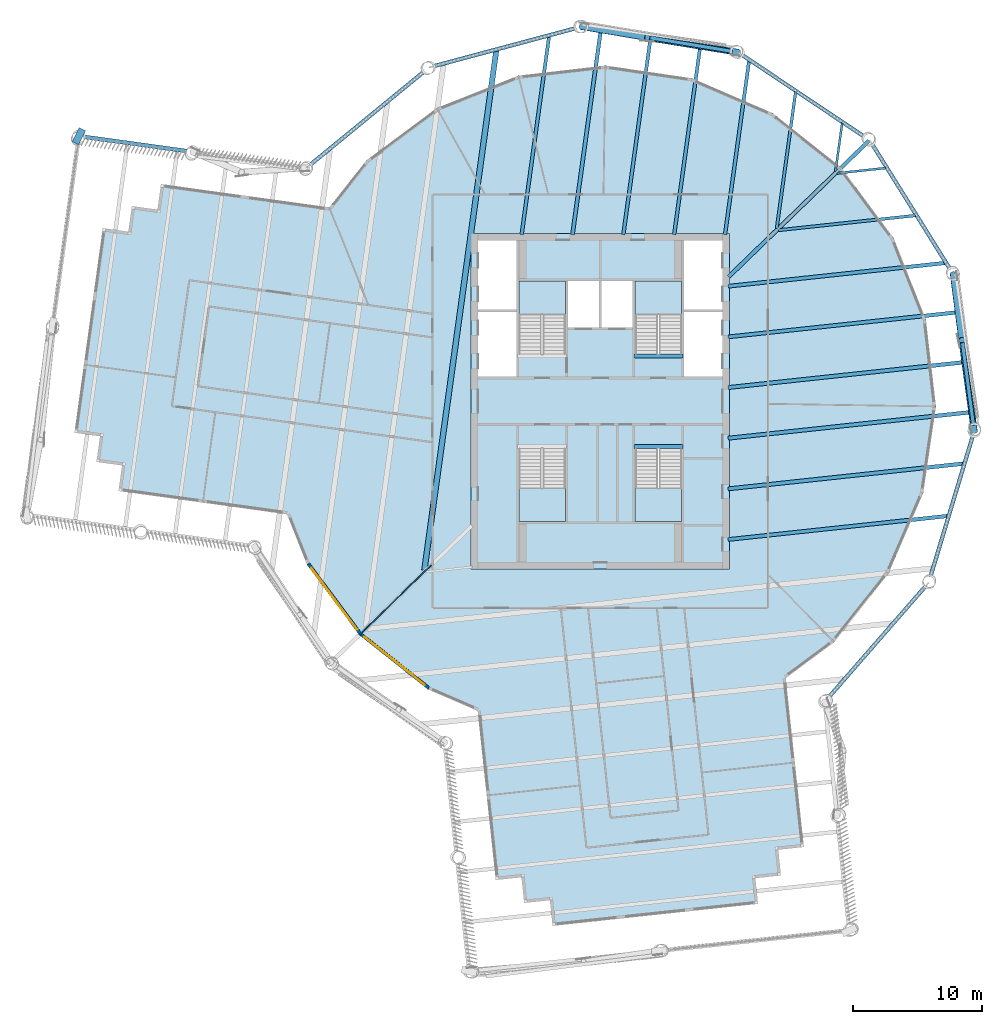
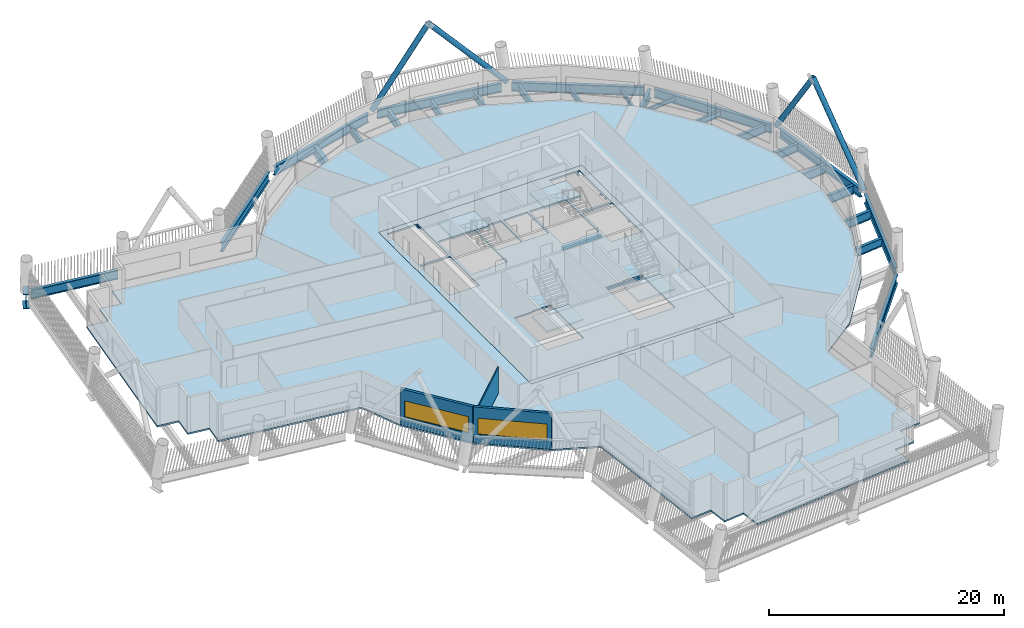
# One storey, part 2 of 21: 29 beams, 6 slabs, 4 members, 3 walls, 2 windows, 2 openings, 4 elements without a shape of their own.
"""IFC4 building model written with IfcOpenShell, lengths in metres."""

from ifc_helpers import new_model, si_unit, direction, frame, frame_2d, origin, origin_2d, place, context, subcontext, project, spatial, polyline, rectangle, hollow_circle, i_section, outline, extrude, material, layer, layer_set, material_profile, profile_set, type_object, element, fill, aggregate, save


model = new_model("IFC4")

# Units and contexts
model_context = context("Model", 3, precision=1e-05, world=origin(), true_north=direction((0.0, 1.0)))
body_context = subcontext(model_context, "Body", "Model", "MODEL_VIEW")
ifc_project = project(units=[si_unit("LENGTHUNIT", "METRE"), si_unit("AREAUNIT", "SQUARE_METRE"), si_unit("VOLUMEUNIT", "CUBIC_METRE"), si_unit("PLANEANGLEUNIT", "RADIAN"), si_unit("MASSUNIT", "GRAM", prefix="KILO")], contexts=[model_context])

# Site, building, storey
site_placement = place(None, origin())
site = spatial("IfcSite", under=ifc_project, at=site_placement, CompositionType="ELEMENT")
building_placement = place(site_placement, origin())
building = spatial("IfcBuilding", under=site, at=building_placement, Name="Tarsis Ring Headquarters", CompositionType="ELEMENT")
storey_placement = place(building_placement, frame((0.0, 0.0, 255.199951171875)))
storey = spatial("IfcBuildingStorey", under=building, at=storey_placement, Name="L59", CompositionType="ELEMENT", Elevation=255.199951171875)

# Beams
ifc_material_1 = material(Name="Structural steel S355", Category="steel")
ifc_material_profile_1 = material_profile(ifc_material_1, i_section(OverallWidth=0.177734375, OverallDepth=0.406494140625, WebThickness=0.0078125, FlangeThickness=0.0126953125, at=origin_2d()), Name="W16x40")
ifc_profile_set_1 = profile_set([ifc_material_profile_1], Name="Structural steel S355")
beam_type_1 = type_object("IfcBeamType", Name="FB Floor beam W16x40", PredefinedType="JOIST", material=ifc_profile_set_1)
for number, where, z_axis, x_axis, name in (
    (1, (18.341064453125, 17.656005859375, -0.363037109375), (0.994298226004, 0.106635068182, 0.0), (-0.106635068182, 0.994298226004, 0.0), "Floor beam FB1"),
    (2, (18.732666015625, 21.559326171875, -0.363037109375), (-0.137108507379, -0.990556034359, 0.0), (0.990556034359, -0.137108507379, 0.0), "Floor beam FB1"),
):
    element("IfcBeam", number, at=place(storey_placement, frame(where, z_axis=z_axis, x_axis=x_axis)), inside=storey, type_object=beam_type_1, Name=name, PredefinedType="JOIST", context=body_context, shape_type="SweptSolid", body=[
        extrude(i_section(OverallWidth=0.177734375, OverallDepth=0.406494140625, WebThickness=0.0078125, FlangeThickness=0.0126953125, at=origin_2d()), origin(), (0.0, 0.0, 1.0), 3.80517578125),
    ])
ifc_material_profile_2 = material_profile(ifc_material_1, i_section(OverallWidth=0.228271484375, OverallDepth=0.607177734375, WebThickness=0.01123046875, FlangeThickness=0.017333984375, at=origin_2d()), Name="W24x76")
ifc_profile_set_2 = profile_set([ifc_material_profile_2], Name="Structural steel S355")
beam_type_2 = type_object("IfcBeamType", Name="FB Floor beam W24x76", PredefinedType="JOIST", material=ifc_profile_set_2)
for number, where, z_axis, x_axis, name in (
    (3, (13.79345703125, 13.24609375, -0.463623046875), (0.994300246884, 0.106616223186, 0.0), (-0.106616223186, 0.994300246884, 0.0), "Floor beam FB4"),
    (4, (15.128173828125, 23.9638671875, -0.463623046875), (-0.137098215795, -0.990557458821, 0.0), (0.990557458821, -0.137098215795, 0.0), "Floor beam FB4"),
):
    element("IfcBeam", number, at=place(storey_placement, frame(where, z_axis=z_axis, x_axis=x_axis)), inside=storey, type_object=beam_type_2, Name=name, PredefinedType="JOIST", context=body_context, shape_type="SweptSolid", body=[
        extrude(i_section(OverallWidth=0.228271484375, OverallDepth=0.607177734375, WebThickness=0.01123046875, FlangeThickness=0.017333984375, at=origin_2d()), origin(), (0.0, 0.0, 1.0), 10.6845703125),
    ])
ifc_material_profile_3 = material_profile(ifc_material_1, i_section(OverallWidth=0.2666015625, OverallDepth=0.7568359375, WebThickness=0.013916015625, FlangeThickness=0.019287109375, at=origin_2d()), Name="W30x108")
ifc_profile_set_3 = profile_set([ifc_material_profile_3], Name="Structural steel S355")
beam_type_3 = type_object("IfcBeamType", Name="FB Floor beam W30x108", PredefinedType="JOIST", material=ifc_profile_set_3)
beam_1_placement = place(storey_placement, frame((11.52392578125, 26.36865234375, -0.538330078125), z_axis=(-0.137098575484, -0.990557409038, 0.0), x_axis=(0.990557409038, -0.137098575484, 0.0)))
element("IfcBeam", 5, at=beam_1_placement, inside=storey, type_object=beam_type_3, Name="Floor beam FB6", PredefinedType="JOIST", context=body_context, shape_type="SweptSolid", body=[
    extrude(i_section(OverallWidth=0.2666015625, OverallDepth=0.7568359375, WebThickness=0.013916015625, FlangeThickness=0.019287109375, at=origin_2d()), origin(), (0.0, 0.0, 1.0), 13.59619140625),
])
beam_2_placement = place(storey_placement, frame((7.736083984375, 27.447509765625, -0.538330078125), z_axis=(-0.137104874911, -0.990556537142, 0.0), x_axis=(0.990556537142, -0.137104874911, 0.0)))
element("IfcBeam", 6, at=beam_2_placement, inside=storey, type_object=beam_type_3, Name="Floor beam FB6", PredefinedType="JOIST", context=body_context, shape_type="SweptSolid", body=[
    extrude(i_section(OverallWidth=0.2666015625, OverallDepth=0.7568359375, WebThickness=0.013916015625, FlangeThickness=0.019287109375, at=origin_2d()), origin(), (0.0, 0.0, 1.0), 14.685302734375),
])
beam_3_placement = place(storey_placement, frame((3.88671875, 28.08251953125, -0.538330078125), z_axis=(-0.137089096115, -0.990558720988, 0.0), x_axis=(0.990558720988, -0.137089096115, 0.0)))
element("IfcBeam", 7, at=beam_3_placement, inside=storey, type_object=beam_type_3, Name="Floor beam FB6", PredefinedType="JOIST", context=body_context, shape_type="SweptSolid", body=[
    extrude(i_section(OverallWidth=0.2666015625, OverallDepth=0.7568359375, WebThickness=0.013916015625, FlangeThickness=0.019287109375, at=origin_2d()), origin(), (0.0, 0.0, 1.0), 15.326416015625),
])
beam_4_placement = place(storey_placement, frame((-3.961669921875, 28.269287109375, -0.538330078125), z_axis=(-0.137106501244, -0.990556312037, 0.0), x_axis=(0.990556312037, -0.137106501244, 0.0)))
element("IfcBeam", 8, at=beam_4_placement, inside=storey, type_object=beam_type_3, Name="Floor beam FB6", PredefinedType="JOIST", context=body_context, shape_type="SweptSolid", body=[
    extrude(i_section(OverallWidth=0.2666015625, OverallDepth=0.7568359375, WebThickness=0.013916015625, FlangeThickness=0.019287109375, at=origin_2d()), origin(), (0.0, 0.0, 1.0), 15.514892578125),
])
ifc_material_profile_4 = material_profile(ifc_material_1, i_section(OverallWidth=0.2919921875, OverallDepth=0.835693359375, WebThickness=0.013916015625, FlangeThickness=0.018798828125, at=origin_2d()), Name="W33x118")
ifc_profile_set_4 = profile_set([ifc_material_profile_4], Name="Structural steel S355")
beam_type_4 = type_object("IfcBeamType", Name="FB Floor beam W33x118", PredefinedType="JOIST", material=ifc_profile_set_4)
beam_5_placement = place(storey_placement, frame((9.900634765625, 8.90625, -0.577880859375), z_axis=(0.994301338713, 0.106606040324, 0.0), x_axis=(-0.106606040324, 0.994301338713, 0.0)))
element("IfcBeam", 9, at=beam_5_placement, inside=storey, type_object=beam_type_4, Name="Floor beam FB7", PredefinedType="JOIST", context=body_context, shape_type="SweptSolid", body=[
    extrude(i_section(OverallWidth=0.2919921875, OverallDepth=0.835693359375, WebThickness=0.013916015625, FlangeThickness=0.018798828125, at=origin_2d()), origin(), (0.0, 0.0, 1.0), 16.90576171875),
])
beam_6_placement = place(storey_placement, frame((9.900634765625, 4.98388671875, -0.577880859375), z_axis=(0.994300676041, 0.1066122208, 0.0), x_axis=(-0.1066122208, 0.994300676041, 0.0)))
element("IfcBeam", 10, at=beam_6_placement, inside=storey, type_object=beam_type_4, Name="Floor beam FB7", PredefinedType="JOIST", context=body_context, shape_type="SweptSolid", body=[
    extrude(i_section(OverallWidth=0.2919921875, OverallDepth=0.835693359375, WebThickness=0.013916015625, FlangeThickness=0.018798828125, at=origin_2d()), origin(), (0.0, 0.0, 1.0), 17.873291015625),
])
beam_7_placement = place(storey_placement, frame((9.900634765625, -10.70556640625, -0.577880859375), z_axis=(0.994300244903, 0.106616241662, 0.0), x_axis=(-0.106616241662, 0.994300244903, 0.0)))
element("IfcBeam", 11, at=beam_7_placement, inside=storey, type_object=beam_type_4, Name="Floor beam FB7", PredefinedType="JOIST", context=body_context, shape_type="SweptSolid", body=[
    extrude(i_section(OverallWidth=0.2919921875, OverallDepth=0.835693359375, WebThickness=0.013916015625, FlangeThickness=0.018798828125, at=origin_2d()), origin(), (0.0, 0.0, 1.0), 17.112548828125),
])
beam_8_placement = place(storey_placement, frame((0.037353515625, 28.71728515625, -0.577880859375), z_axis=(-0.137091663173, -0.990558365715, 0.0), x_axis=(0.990558365715, -0.137091663173, 0.0)))
element("IfcBeam", 12, at=beam_8_placement, inside=storey, type_object=beam_type_4, Name="Floor beam FB7", PredefinedType="JOIST", context=body_context, shape_type="SweptSolid", body=[
    extrude(i_section(OverallWidth=0.2919921875, OverallDepth=0.835693359375, WebThickness=0.013916015625, FlangeThickness=0.018798828125, at=origin_2d()), origin(), (0.0, 0.0, 1.0), 15.967041015625),
])
ifc_material_profile_5 = material_profile(ifc_material_1, i_section(OverallWidth=0.3046875, OverallDepth=0.904296875, WebThickness=0.01513671875, FlangeThickness=0.02001953125, at=origin_2d()), Name="W36x135")
ifc_profile_set_5 = profile_set([ifc_material_profile_5], Name="Structural steel S355")
beam_type_5 = type_object("IfcBeamType", Name="FB Floor beam W36x135", PredefinedType="JOIST", material=ifc_profile_set_5)
beam_9_placement = place(storey_placement, frame((9.900634765625, 1.0615234375, -0.612060546875), z_axis=(0.994300362714, 0.106615142955, 0.0), x_axis=(-0.106615142955, 0.994300362714, 0.0)))
element("IfcBeam", 13, at=beam_9_placement, inside=storey, type_object=beam_type_5, Name="Floor beam FB8", PredefinedType="JOIST", context=body_context, shape_type="SweptSolid", body=[
    extrude(i_section(OverallWidth=0.3046875, OverallDepth=0.904296875, WebThickness=0.01513671875, FlangeThickness=0.02001953125, at=origin_2d()), origin(), (0.0, 0.0, 1.0), 18.392578125),
])
beam_10_placement = place(storey_placement, frame((9.900634765625, -2.86083984375, -0.612060546875), z_axis=(0.994300066586, 0.106617904624, 0.0), x_axis=(-0.106617904624, 0.994300066586, 0.0)))
element("IfcBeam", 14, at=beam_10_placement, inside=storey, type_object=beam_type_5, Name="Floor beam FB8", PredefinedType="JOIST", context=body_context, shape_type="SweptSolid", body=[
    extrude(i_section(OverallWidth=0.3046875, OverallDepth=0.904296875, WebThickness=0.01513671875, FlangeThickness=0.02001953125, at=origin_2d()), origin(), (0.0, 0.0, 1.0), 18.912109375),
])
beam_11_placement = place(storey_placement, frame((9.900634765625, -6.783203125, -0.612060546875), z_axis=(0.994300638991, 0.106612566339, 0.0), x_axis=(-0.106612566339, 0.994300638991, 0.0)))
element("IfcBeam", 15, at=beam_11_placement, inside=storey, type_object=beam_type_5, Name="Floor beam FB8", PredefinedType="JOIST", context=body_context, shape_type="SweptSolid", body=[
    extrude(i_section(OverallWidth=0.3046875, OverallDepth=0.904296875, WebThickness=0.01513671875, FlangeThickness=0.02001953125, at=origin_2d()), origin(), (0.0, 0.0, 1.0), 18.338134765625),
])
ifc_material_profile_6 = material_profile(ifc_material_1, i_section(OverallWidth=0.309814453125, OverallDepth=0.949951171875, WebThickness=0.0244140625, FlangeThickness=0.0439453125, at=origin_2d()), Name="W36x256")
ifc_profile_set_6 = profile_set([ifc_material_profile_6], Name="Structural steel S355")
beam_type_6 = type_object("IfcBeamType", Name="FB Floor beam W36x256 spine", PredefinedType="BEAM", material=ifc_profile_set_6)
beam_12_placement = place(storey_placement, frame((20.8115234375, 20.181884765625, -0.635009765625), z_axis=(-0.717885516302, -0.696161177806, 0.0), x_axis=(0.696161177806, -0.717885516302, 0.0)))
element("IfcBeam", 16, at=beam_12_placement, inside=storey, type_object=beam_type_6, Name="Floor beam SB11", PredefinedType="BEAM", context=body_context, shape_type="SweptSolid", body=[
    extrude(i_section(OverallWidth=0.309814453125, OverallDepth=0.949951171875, WebThickness=0.0244140625, FlangeThickness=0.0439453125, at=origin_2d()), origin(), (0.0, 0.0, 1.0), 15.16015625),
])
ifc_material_profile_7 = material_profile(ifc_material_1, i_section(OverallWidth=0.42431640625, OverallDepth=0.947509765625, WebThickness=0.02392578125, FlangeThickness=0.042724609375, at=origin_2d()), Name="W36x302")
ifc_profile_set_7 = profile_set([ifc_material_profile_7], Name="Structural steel S355")
beam_type_7 = type_object("IfcBeamType", Name="FB Floor beam W36x302", PredefinedType="JOIST", material=ifc_profile_set_7)
beam_13_placement = place(storey_placement, frame((-8.05029296875, 27.175537109375, -0.633544921875), z_axis=(-0.137098646971, -0.990557399144, 0.0), x_axis=(0.990557399144, -0.137098646971, 0.0)))
element("IfcBeam", 17, at=beam_13_placement, inside=storey, type_object=beam_type_7, Name="Floor beam FB12", PredefinedType="JOIST", context=body_context, shape_type="SweptSolid", body=[
    extrude(i_section(OverallWidth=0.42431640625, OverallDepth=0.947509765625, WebThickness=0.02392578125, FlangeThickness=0.042724609375, at=origin_2d()), origin(), (0.0, 0.0, 1.0), 40.638916015625),
])
ifc_material_2 = material(Name="Concrete C40/50", Category="concrete")
ifc_material_profile_8 = material_profile(ifc_material_2, rectangle(XDim=0.300048828125, YDim=0.300048828125, at=origin_2d()), Name="Stair head beam 300x300 C40/50")
ifc_profile_set_8 = profile_set([ifc_material_profile_8], Name="Concrete C40/50")
beam_type_8 = type_object("IfcBeamType", Name="Stair head beam 300x300 C40/50", PredefinedType="BEAM", material=ifc_profile_set_8)
for number, where, z_axis, x_axis, name in (
    (18, (2.60009765625, 3.510009765625, -0.31005859375), (1.0, 0.0, 0.0), (0.0, 1.0, 0.0), "Stair head beam L59 Exit stair B"),
    (19, (2.60009765625, -3.510009765625, -0.31005859375), (1.0, 0.0, 0.0), (0.0, 1.0, 0.0), "Stair head beam L59 Exit stair D"),
):
    element("IfcBeam", number, at=place(storey_placement, frame(where, z_axis=z_axis, x_axis=x_axis)), inside=storey, type_object=beam_type_8, Name=name, PredefinedType="BEAM", context=body_context, shape_type="SweptSolid", body=[
        extrude(rectangle(XDim=0.300048828125, YDim=0.300048828125, at=origin_2d()), origin(), (0.0, 0.0, 1.0), 3.7998046875),
    ])

# Members
ifc_material_profile_9 = material_profile(ifc_material_1, hollow_circle(Radius=0.25390625, WallThickness=0.02001953125, at=origin_2d()), Name="CHS 508x20")
ifc_profile_set_9 = profile_set([ifc_material_profile_9], Name="Structural steel S355")
member_type = type_object("IfcMemberType", Name="XD X brace CHS 508x20", PredefinedType="BRACE", material=ifc_profile_set_9)
member_1_placement = place(storey_placement, frame((28.956298828125, -2.31201171875, 0.0), z_axis=(-0.09083047457, 0.667793603639, 0.738783816707), x_axis=(-0.990876253057, -0.134774816372, 0.0)))
element("IfcMember", 20, at=member_1_placement, inside=storey, type_object=member_type, Name="X brace XD2", PredefinedType="BRACE", context=body_context, shape_type="SweptSolid", body=[
    extrude(hollow_circle(Radius=0.25390625, WallThickness=0.02001953125, at=origin_2d()), origin(), (0.0, 0.0, 1.0), 10.557861328125),
])
member_2_placement = place(storey_placement, frame((27.3349609375, 9.8291015625, 0.0), z_axis=(0.070932936724, -0.545161320915, 0.835324878515), x_axis=(0.991641201907, 0.12902606977, 0.0)))
element("IfcMember", 21, at=member_2_placement, inside=storey, type_object=member_type, Name="X brace XD2", PredefinedType="BRACE", context=body_context, shape_type="SweptSolid", body=[
    extrude(hollow_circle(Radius=0.25390625, WallThickness=0.02001953125, at=origin_2d()), origin(), (0.0, 0.0, 1.0), 9.337646484375),
])
member_3_placement = place(storey_placement, frame((10.6640625, 27.020263671875, 0.0), z_axis=(-0.66522526866, 0.10805748333, 0.738782053269), x_axis=(-0.160335897943, -0.987062510599, 0.0)))
element("IfcMember", 22, at=member_3_placement, inside=storey, type_object=member_type, Name="X brace XD2", PredefinedType="BRACE", context=body_context, shape_type="SweptSolid", body=[
    extrude(hollow_circle(Radius=0.25390625, WallThickness=0.02001953125, at=origin_2d()), origin(), (0.0, 0.0, 1.0), 10.55810546875),
])
member_4_placement = place(storey_placement, frame((-1.421630859375, 29.013671875, 0.0), z_axis=(0.542126633675, -0.09130003399, 0.835322103654), x_axis=(0.16607227553, 0.986113583367, 0.0)))
element("IfcMember", 23, at=member_4_placement, inside=storey, type_object=member_type, Name="X brace XD2", PredefinedType="BRACE", context=body_context, shape_type="SweptSolid", body=[
    extrude(hollow_circle(Radius=0.25390625, WallThickness=0.02001953125, at=origin_2d()), origin(), (0.0, 0.0, 1.0), 9.337890625),
])

# Beams
ifc_material_profile_10 = material_profile(ifc_material_1, i_section(OverallWidth=0.550048828125, OverallDepth=1.5, WebThickness=0.030029296875, FlangeThickness=0.050048828125, at=origin_2d()), Name="PG 1500x550x30x50")
ifc_profile_set_10 = profile_set([ifc_material_profile_10], Name="Structural steel S355")
beam_type_9 = type_object("IfcBeamType", Name="XG Ring girder PG 1500x550x30x50", PredefinedType="BEAM", material=ifc_profile_set_10)
beam_14_placement = place(storey_placement, frame((-40.097412109375, 21.05810546875, -0.73291015625), z_axis=(-0.453063100853, -0.891478449905, 0.0), x_axis=(0.891478449905, -0.453063100853, 0.0)))
element("IfcBeam", 24, at=beam_14_placement, inside=storey, type_object=beam_type_9, Name="Ring girder XG6", PredefinedType="BEAM", context=body_context, shape_type="SweptSolid", body=[
    extrude(i_section(OverallWidth=0.550048828125, OverallDepth=1.5, WebThickness=0.030029296875, FlangeThickness=0.050048828125, at=origin_2d()), origin(), (0.0, 0.0, 1.0), 1.199951171875),
])
ifc_material_profile_11 = material_profile(ifc_material_1, i_section(OverallWidth=0.309814453125, OverallDepth=0.93212890625, WebThickness=0.02099609375, FlangeThickness=0.034423828125, at=origin_2d()), Name="W36x210")
ifc_profile_set_11 = profile_set([ifc_material_profile_11], Name="Structural steel S355")
beam_type_10 = type_object("IfcBeamType", Name="XG Ring girder W36x210", PredefinedType="BEAM", material=ifc_profile_set_11)
for number, where, z_axis, x_axis, name in (
    (25, (17.680908203125, -22.9306640625, -0.466064453125), (0.657083735849, 0.753817593376, 0.0), (-0.753817593376, 0.657083735849, 0.0), "Ring girder XG3"),
    (26, (25.560791015625, -13.60400390625, -0.466064453125), (0.287966355507, 0.957640526553, 0.0), (-0.957640526553, 0.287966355507, 0.0), "Ring girder XG3"),
    (27, (28.895751953125, -1.85888671875, -0.466064453125), (-0.13235982983, 0.991201732972, 0.0), (-0.991201732972, -0.13235982983, 0.0), "Ring girder XG3"),
):
    element("IfcBeam", number, at=place(storey_placement, frame(where, z_axis=z_axis, x_axis=x_axis)), inside=storey, type_object=beam_type_10, Name=name, PredefinedType="BEAM", context=body_context, shape_type="SweptSolid", body=[
        extrude(i_section(OverallWidth=0.309814453125, OverallDepth=0.93212890625, WebThickness=0.02099609375, FlangeThickness=0.034423828125, at=origin_2d()), origin(), (0.0, 0.0, 1.0), 11.33447265625),
    ])
beam_15_placement = place(storey_placement, frame((27.093017578125, 10.217041015625, -0.466064453125), z_axis=(-0.529152564142, 0.848526701915, 0.0), x_axis=(-0.848526701915, -0.529152564142, 0.0)))
element("IfcBeam", 28, at=beam_15_placement, inside=storey, type_object=beam_type_10, Name="Ring girder XG3", PredefinedType="BEAM", context=body_context, shape_type="SweptSolid", body=[
    extrude(i_section(OverallWidth=0.309814453125, OverallDepth=0.93212890625, WebThickness=0.02099609375, FlangeThickness=0.034423828125, at=origin_2d()), origin(), (0.0, 0.0, 1.0), 11.334228515625),
])
for number, where, z_axis, x_axis, name in (
    (29, (20.47314453125, 20.476318359375, -0.466064453125), (-0.831867989377, 0.554973556352, 0.0), (-0.554973556352, -0.831867989377, 0.0), "Ring girder XG3"),
    (30, (10.212890625, 27.0947265625, -0.466064453125), (-0.986670204508, 0.16273262591, 0.0), (-0.16273262591, -0.986670204508, 0.0), "Ring girder XG3"),
    (31, (-1.86328125, 28.8955078125, -0.466064453125), (-0.966034803292, -0.258411994361, 0.0), (0.258411994361, -0.966034803292, 0.0), "Ring girder XG3"),
    (32, (-13.60791015625, 25.55859375, -0.466064453125), (-0.773636665687, -0.633629473356, 0.0), (0.633629473356, -0.773636665687, 0.0), "Ring girder XG3"),
):
    element("IfcBeam", number, at=place(storey_placement, frame(where, z_axis=z_axis, x_axis=x_axis)), inside=storey, type_object=beam_type_10, Name=name, PredefinedType="BEAM", context=body_context, shape_type="SweptSolid", body=[
        extrude(i_section(OverallWidth=0.309814453125, OverallDepth=0.93212890625, WebThickness=0.02099609375, FlangeThickness=0.034423828125, at=origin_2d()), origin(), (0.0, 0.0, 1.0), 11.33447265625),
    ])
beam_16_placement = place(storey_placement, frame((-32.00146484375, 19.370361328125, -0.466064453125), z_axis=(-0.99055982986, 0.137081083555, 0.0), x_axis=(-0.137081083555, -0.99055982986, 0.0)))
element("IfcBeam", 33, at=beam_16_placement, inside=storey, type_object=beam_type_10, Name="Ring girder XG3", PredefinedType="BEAM", context=body_context, shape_type="SweptSolid", body=[
    extrude(i_section(OverallWidth=0.309814453125, OverallDepth=0.93212890625, WebThickness=0.02099609375, FlangeThickness=0.034423828125, at=origin_2d()), origin(), (0.0, 0.0, 1.0), 7.98779296875),
])

# Slab
ifc_layer_1 = layer(ifc_material_2, 0.159912109375)
ifc_layer_set_1 = layer_set([ifc_layer_1], Name="Core floor slab 160 C40/50")
slab_type_1 = type_object("IfcSlabType", Name="Core floor slab 160 C40/50", PredefinedType="FLOOR", material=ifc_layer_set_1)
slab_1_placement = place(storey_placement, frame((0.0, 0.0, -0.159912109375)))
element("IfcSlab", 34, at=slab_1_placement, inside=storey, type_object=slab_type_1, Name="L59 core floor slab", PredefinedType="FLOOR", context=body_context, shape_type="SweptSolid", body=[
    extrude(outline(polyline([(-10.0, -13.0), (10.0, -13.0), (10.0, 13.0), (-10.0, 13.0), (-10.0, -13.0)]), holes=[polyline([(-2.5, 5.699951171875), (-0.10009765625, 5.699951171875), (-0.10009765625, 9.300048828125), (-2.5, 9.300048828125), (-2.5, 5.699951171875)]), polyline([(0.10009765625, 5.699951171875), (2.5, 5.699951171875), (2.5, 9.300048828125), (0.10009765625, 9.300048828125), (0.10009765625, 5.699951171875)]), polyline([(-9.449951171875, 1.89990234375), (-6.5, 1.89990234375), (-6.5, 6.89990234375), (-9.449951171875, 6.89990234375), (-9.449951171875, 1.89990234375)]), polyline([(-9.449951171875, 7.10009765625), (-6.5, 7.10009765625), (-6.5, 12.449951171875), (-9.449951171875, 12.449951171875), (-9.449951171875, 7.10009765625)]), polyline([(6.5, 1.89990234375), (9.449951171875, 1.89990234375), (9.449951171875, 6.89990234375), (6.5, 6.89990234375), (6.5, 1.89990234375)]), polyline([(6.5, 7.10009765625), (9.449951171875, 7.10009765625), (9.449951171875, 12.449951171875), (6.5, 12.449951171875), (6.5, 7.10009765625)]), polyline([(-2.699951171875, 3.760009765625), (-2.699951171875, 9.300048828125), (-6.300048828125, 9.300048828125), (-6.300048828125, 3.659912109375), (-4.4599609375, 3.659912109375), (-4.4599609375, 3.760009765625), (-2.699951171875, 3.760009765625)]), polyline([(6.300048828125, 3.760009765625), (6.300048828125, 9.300048828125), (2.699951171875, 9.300048828125), (2.699951171875, 3.659912109375), (4.5400390625, 3.659912109375), (4.5400390625, 3.760009765625), (6.300048828125, 3.760009765625)]), polyline([(-6.300048828125, -3.760009765625), (-6.300048828125, -9.300048828125), (-2.699951171875, -9.300048828125), (-2.699951171875, -3.659912109375), (-4.5400390625, -3.659912109375), (-4.5400390625, -3.760009765625), (-6.300048828125, -3.760009765625)]), polyline([(2.699951171875, -3.760009765625), (2.699951171875, -9.300048828125), (6.300048828125, -9.300048828125), (6.300048828125, -3.659912109375), (4.4599609375, -3.659912109375), (4.4599609375, -3.760009765625), (2.699951171875, -3.760009765625)])]), origin(), (0.0, 0.0, 1.0), 0.159912109375),
])

# Stair, slab
ifc_material_3 = material(Name="Core stair 1760")
stair_type = type_object("IfcStairType", Name="Core stair 1760", PredefinedType="HALF_TURN_STAIR", material=ifc_material_3)
stair_1_placement = place(storey_placement, origin())
stair_1 = element("IfcStair", 35, at=stair_1_placement, inside=storey, type_object=stair_type, Name="L59 Firefighting stair", PredefinedType="HALF_TURN_STAIR")
ifc_layer_2 = layer(ifc_material_2, 0.199951171875)
ifc_layer_set_2 = layer_set([ifc_layer_2], Name="Core stair landing 200")
slab_type_2 = type_object("IfcSlabType", Name="Core stair landing 200", PredefinedType="LANDING", material=ifc_layer_set_2)
slab_2_placement = place(storey_placement, frame((0.0, 0.0, 1.75)))
slab_2 = element("IfcSlab", 36, at=slab_2_placement, type_object=slab_type_2, Name="Stair ST1 landing 1", PredefinedType="LANDING", context=body_context, shape_type="SweptSolid", body=[
    extrude(outline(polyline([(-2.699951171875, 6.739990234375), (-2.699951171875, 9.300048828125), (-6.300048828125, 9.300048828125), (-6.300048828125, 6.739990234375), (-2.699951171875, 6.739990234375)])), origin(), (0.0, 0.0, 1.0), 0.199951171875),
])
aggregate(stair_1, [slab_2])

stair_2_placement = place(storey_placement, origin())
stair_2 = element("IfcStair", 37, at=stair_2_placement, inside=storey, type_object=stair_type, Name="L59 Exit stair B", PredefinedType="HALF_TURN_STAIR")
slab_3_placement = place(storey_placement, frame((0.0, 0.0, 1.75)))
slab_3 = element("IfcSlab", 38, at=slab_3_placement, type_object=slab_type_2, Name="Stair ST2 landing 1", PredefinedType="LANDING", context=body_context, shape_type="SweptSolid", body=[
    extrude(outline(polyline([(6.300048828125, 6.739990234375), (6.300048828125, 9.300048828125), (2.699951171875, 9.300048828125), (2.699951171875, 6.739990234375), (6.300048828125, 6.739990234375)])), origin(), (0.0, 0.0, 1.0), 0.199951171875),
])
aggregate(stair_2, [slab_3])

stair_3_placement = place(storey_placement, origin())
stair_3 = element("IfcStair", 39, at=stair_3_placement, inside=storey, type_object=stair_type, Name="L59 Exit stair C", PredefinedType="HALF_TURN_STAIR")
slab_4_placement = place(storey_placement, frame((0.0, 0.0, 1.75)))
slab_4 = element("IfcSlab", 40, at=slab_4_placement, type_object=slab_type_2, Name="Stair ST3 landing 1", PredefinedType="LANDING", context=body_context, shape_type="SweptSolid", body=[
    extrude(outline(polyline([(-6.300048828125, -6.739990234375), (-6.300048828125, -9.300048828125), (-2.699951171875, -9.300048828125), (-2.699951171875, -6.739990234375), (-6.300048828125, -6.739990234375)])), origin(), (0.0, 0.0, 1.0), 0.199951171875),
])
aggregate(stair_3, [slab_4])

stair_4_placement = place(storey_placement, origin())
stair_4 = element("IfcStair", 41, at=stair_4_placement, inside=storey, type_object=stair_type, Name="L59 Exit stair D", PredefinedType="HALF_TURN_STAIR")
slab_5_placement = place(storey_placement, frame((0.0, 0.0, 1.75)))
slab_5 = element("IfcSlab", 42, at=slab_5_placement, type_object=slab_type_2, Name="Stair ST4 landing 1", PredefinedType="LANDING", context=body_context, shape_type="SweptSolid", body=[
    extrude(outline(polyline([(2.699951171875, -6.739990234375), (2.699951171875, -9.300048828125), (6.300048828125, -9.300048828125), (6.300048828125, -6.739990234375), (2.699951171875, -6.739990234375)])), origin(), (0.0, 0.0, 1.0), 0.199951171875),
])
aggregate(stair_4, [slab_5])

# Slab
ifc_material_4 = material(Name="Concrete C35/45", Category="concrete")
ifc_layer_3 = layer(ifc_material_4, 0.159912109375)
ifc_layer_set_3 = layer_set([ifc_layer_3], Name="FS Composite floor slab 160")
slab_type_3 = type_object("IfcSlabType", Name="FS Composite floor slab 160", PredefinedType="FLOOR", material=ifc_layer_set_3)
slab_6_placement = place(storey_placement, frame((0.0, 0.0, -0.159912109375)))
element("IfcSlab", 43, at=slab_6_placement, inside=storey, type_object=slab_type_3, Name="Floor slab L59", PredefinedType="FLOOR", context=body_context, shape_type="SweptSolid", body=[
    extrude(outline(polyline([(-24.257568359375, -8.757080078125), (-22.713623046875, -12.652587890625), (-18.6650390625, -18.100341796875), (-13.34423828125, -22.314453125), (-9.497802734375, -23.977294921875), (-8.093505859375, -37.07421875), (-6.10498046875, -36.86083984375), (-5.891845703125, -38.849609375), (-3.903076171875, -38.63623046875), (-3.68994140625, -40.625), (12.21875, -38.919189453125), (12.005615234375, -36.930419921875), (13.994140625, -36.71728515625), (13.781005859375, -34.728759765625), (15.76953125, -34.515380859375), (14.367431640625, -21.439208984375), (18.100341796875, -18.6650390625), (22.314453125, -13.34423828125), (25.0078125, -7.1142578125), (25.996826171875, -0.3994140625), (25.21435546875, 6.3427734375), (22.713623046875, 12.652587890625), (18.6650390625, 18.100341796875), (13.34423828125, 22.314453125), (7.1142578125, 25.0078125), (0.3994140625, 25.996826171875), (-6.3427734375, 25.21435546875), (-12.652587890625, 22.713623046875), (-18.100341796875, 18.6650390625), (-20.98779296875, 15.019287109375), (-34.014892578125, 16.822265625), (-34.2890625, 14.841064453125), (-36.270263671875, 15.115234375), (-36.54443359375, 13.13427734375), (-38.525390625, 13.408447265625), (-40.718994140625, -2.4404296875), (-38.738037109375, -2.714599609375), (-39.01220703125, -4.69580078125), (-37.031005859375, -4.969970703125), (-37.30517578125, -6.951171875), (-24.257568359375, -8.757080078125)]), holes=[polyline([(-10.0, -13.0), (-10.0, 13.0), (10.0, 13.0), (10.0, -13.0), (-10.0, -13.0)])]), origin(), (0.0, 0.0, 1.0), 0.159912109375),
])

# Wall
ifc_material_5 = material(Name="Gypsum board on steel studs", Category="steel")
ifc_layer_4 = layer(ifc_material_5, 0.10009765625)
ifc_layer_set_4 = layer_set([ifc_layer_4], Name="FL partition 100 unrated")
wall_type_1 = type_object("IfcWallType", Name="FL partition 100 unrated", PredefinedType="PARTITIONING", material=ifc_layer_set_4)
wall_1_placement = place(storey_placement, frame((-18.62744140625, -18.06396484375, 0.0), z_axis=(0.0, 0.0, 1.0), x_axis=(0.717872132276, 0.696174979227, 0.0)))
element("IfcWall", 44, at=wall_1_placement, inside=storey, type_object=wall_type_1, Name="Partition PW3", PredefinedType="PARTITIONING", context=body_context, shape_type="SweptSolid", body=[
    extrude(rectangle(XDim=7.718994140625, YDim=0.10009765625, at=frame_2d((3.859375, 0.0))), origin(), (0.0, 0.0, 1.0), 2.699951171875),
])

# Wall, opening, window
ifc_material_6 = material(Name="Terracotta clad insulated panel wall", Category="masonry")
ifc_layer_5 = layer(ifc_material_6, 0.25)
ifc_layer_set_5 = layer_set([ifc_layer_5], Name="Facade wall terracotta panel 250")
wall_type_2 = type_object("IfcWallType", Name="Facade wall terracotta panel 250", PredefinedType="STANDARD", material=ifc_layer_set_5)
wall_2_placement = place(storey_placement, frame((-22.59375, -12.6044921875, 0.0), z_axis=(0.0, 0.0, 1.0), x_axis=(0.596513236538, -0.802603238615, 0.0)))
wall_2 = element("IfcWall", 45, at=wall_2_placement, inside=storey, type_object=wall_type_2, Name="External wall L59-03", PredefinedType="STANDARD", context=body_context, shape_type="SweptSolid", body=[
    extrude(rectangle(XDim=6.7216796875, YDim=0.25, at=frame_2d((3.36083984375, 0.0))), origin(), (0.0, 0.0, 1.0), 3.739990234375),
])
opening_1_placement = place(wall_2_placement, frame((0.3857421875, 0.0, 0.89990234375)))
opening_1 = element("IfcOpeningElement", 46, at=opening_1_placement, cuts=wall_2, Name="Opening WN07", PredefinedType="OPENING", context=body_context, shape_type="SweptSolid", body=[
    extrude(rectangle(XDim=5.949951171875, YDim=1.699951171875, at=frame_2d((2.97509765625, 0.85009765625))), frame((0.0, 0.135009765625, 0.0), z_axis=(0.0, -1.0, 0.0), x_axis=(1.0, 0.0, 0.0)), (0.0, 0.0, 1.0), 0.27001953125),
])
ifc_material_7 = material(Name="Aluminium framed double glazing", Category="aluminium")
window_type = type_object("IfcWindowType", Name="Facade window 5950 x 1700", PartitioningType="SINGLE_PANEL", PredefinedType="WINDOW", material=ifc_material_7)
window_1_placement = place(opening_1_placement, origin())
window_1 = element("IfcWindow", 47, at=window_1_placement, inside=storey, type_object=window_type, Name="Window L59-03.1", OverallHeight=1.699951171875, OverallWidth=5.949951171875, PartitioningType="SINGLE_PANEL", PredefinedType="WINDOW", context=body_context, shape_type="SweptSolid", body=[
    extrude(rectangle(XDim=5.949951171875, YDim=1.699951171875, at=frame_2d((2.97509765625, 0.85009765625))), frame((0.0, 0.030029296875, 0.0), z_axis=(0.0, -1.0, 0.0), x_axis=(1.0, 0.0, 0.0)), (0.0, 0.0, 1.0), 0.06005859375),
])
fill(opening_1, window_1)

wall_3_placement = place(storey_placement, frame((-18.5615234375, -18.022705078125, 0.0), z_axis=(0.0, 0.0, 1.0), x_axis=(0.783917650844, -0.620864813543, 0.0)))
wall_3 = element("IfcWall", 48, at=wall_3_placement, inside=storey, type_object=wall_type_2, Name="External wall L59-04", PredefinedType="STANDARD", context=body_context, shape_type="SweptSolid", body=[
    extrude(rectangle(XDim=6.721435546875, YDim=0.25, at=frame_2d((3.36083984375, 0.0))), origin(), (0.0, 0.0, 1.0), 3.739990234375),
])
opening_2_placement = place(wall_3_placement, frame((0.3857421875, 0.0, 0.89990234375)))
opening_2 = element("IfcOpeningElement", 49, at=opening_2_placement, cuts=wall_3, Name="Opening WN07", PredefinedType="OPENING", context=body_context, shape_type="SweptSolid", body=[
    extrude(rectangle(XDim=5.949951171875, YDim=1.699951171875, at=frame_2d((2.97509765625, 0.85009765625))), frame((0.0, 0.135009765625, 0.0), z_axis=(0.0, -1.0, 0.0), x_axis=(1.0, 0.0, 0.0)), (0.0, 0.0, 1.0), 0.27001953125),
])
window_2_placement = place(opening_2_placement, origin())
window_2 = element("IfcWindow", 50, at=window_2_placement, inside=storey, type_object=window_type, Name="Window L59-04.1", OverallHeight=1.699951171875, OverallWidth=5.949951171875, PartitioningType="SINGLE_PANEL", PredefinedType="WINDOW", context=body_context, shape_type="SweptSolid", body=[
    extrude(rectangle(XDim=5.949951171875, YDim=1.699951171875, at=frame_2d((2.97509765625, 0.85009765625))), frame((0.0, 0.030029296875, 0.0), z_axis=(0.0, -1.0, 0.0), x_axis=(1.0, 0.0, 0.0)), (0.0, 0.0, 1.0), 0.06005859375),
])
fill(opening_2, window_2)

save(model, "model.ifc")
